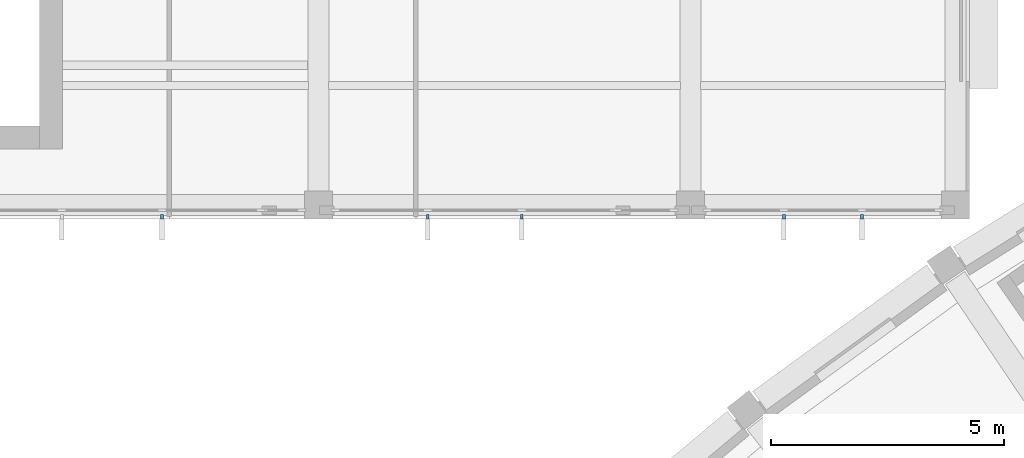
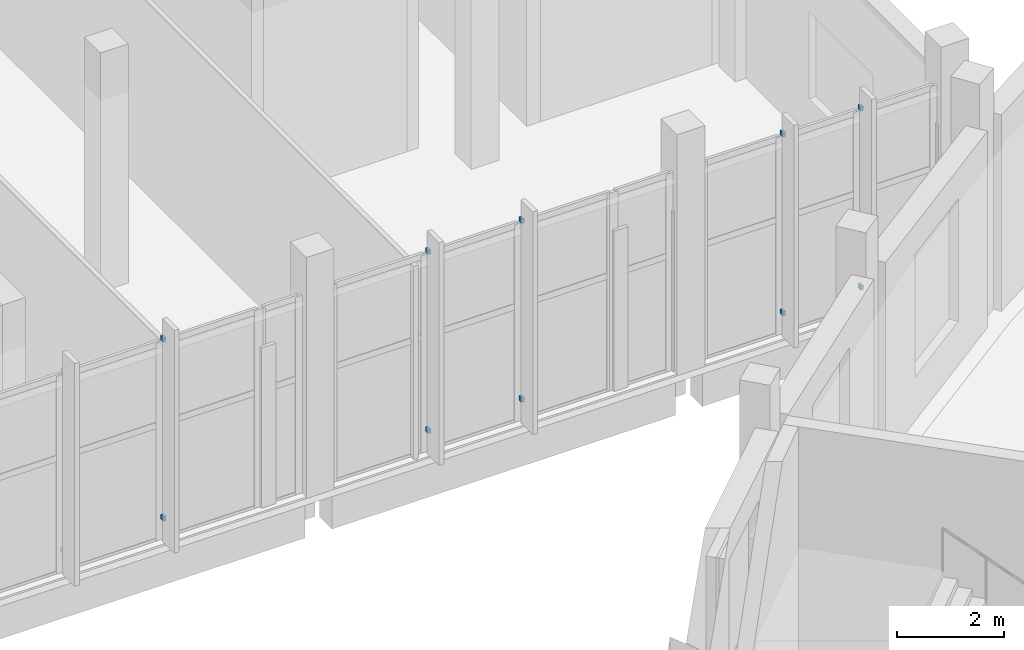
# One storey, part 51 of 87: 10 discrete accessories.
"""IFC4 building model written with IfcOpenShell, lengths in metres."""

import ifcopenshell
import ifcopenshell.guid

model = None  # the IFC model being written
_history = None  # IfcOwnerHistory: only IFC2X3 demands one
_inside = {}  # id of a spatial element -> (the spatial element, [elements in it])
_under = {}  # id of a project, library or spatial element -> (it, [spatial elements below it])
_declared = {}  # id of a project -> (the project, [libraries it declares])
_typed = {}  # id of a type object -> (the type object, [elements of that type])
_made_of = {}  # id of a material, layer set ... -> (it, [elements and type objects made of it])


def new_model(schema):
    """Start an empty IFC model of exactly this schema.

    Asked for "IFC4X3", IfcOpenShell would pick the latest addendum, in which some entities
    have other attributes; the version numbers below select the first issue.
    IFC2X3 requires an IfcOwnerHistory on every rooted entity: one is made here for all.
    """
    global model, _history
    if schema == "IFC4X3":
        model = ifcopenshell.file(schema_version=(4, 3, 0, 0))
    else:
        model = ifcopenshell.file(schema=schema)
    _inside.clear()
    _under.clear()
    _declared.clear()
    _typed.clear()
    _made_of.clear()
    _history = None
    if model.schema == "IFC2X3":
        org = make("IfcOrganization", Name="unknown")
        user = make(
            "IfcPersonAndOrganization",
            ThePerson=make("IfcPerson", FamilyName="unknown"),
            TheOrganization=org,
        )
        app = make(
            "IfcApplication",
            ApplicationDeveloper=org,
            Version="unknown",
            ApplicationFullName="unknown",
            ApplicationIdentifier="unknown",
        )
        _history = make(
            "IfcOwnerHistory",
            OwningUser=user,
            OwningApplication=app,
            ChangeAction="ADDED",
            CreationDate=0,
        )
    return model


def make(cls, **values):
    """One entity of the class cls with the attributes given. An attribute that is None is left unset."""
    return model.create_entity(
        cls, **{name: value for name, value in values.items() if value is not None}
    )


def rooted(cls, **values):
    """An entity with a GlobalId (a new one), such as an element, a storey or a relation."""
    return make(cls, GlobalId=ifcopenshell.guid.new(), OwnerHistory=_history, **values)


def si_unit(unit_type, name, prefix=None):
    """IfcSIUnit, for example si_unit("LENGTHUNIT", "METRE", prefix="MILLI")."""
    return make("IfcSIUnit", UnitType=unit_type, Prefix=prefix, Name=name)


def assignment(units):
    """IfcUnitAssignment: the units of a project."""
    return None if units is None else make("IfcUnitAssignment", Units=units)


def point(xyz):
    """IfcCartesianPoint."""
    return None if xyz is None else make("IfcCartesianPoint", Coordinates=xyz)


def direction(xyz):
    """IfcDirection."""
    return None if xyz is None else make("IfcDirection", DirectionRatios=xyz)


def frame(location, z_axis=None, x_axis=None):
    """IfcAxis2Placement3D, a coordinate frame: its origin and axes. An axis left out is left unset."""
    return make(
        "IfcAxis2Placement3D",
        Location=point(location),
        Axis=direction(z_axis),
        RefDirection=direction(x_axis),
    )


def frame_2d(location, x_axis=None):
    """IfcAxis2Placement2D, a coordinate frame in the plane: its origin and x axis."""
    return make(
        "IfcAxis2Placement2D", Location=point(location), RefDirection=direction(x_axis)
    )


def origin():
    """The frame at (0, 0, 0) with its axes left unset."""
    return frame((0.0, 0.0, 0.0))


def origin_2d():
    """The frame at (0, 0) in the plane with its x axis left unset."""
    return frame_2d((0.0, 0.0))


def place(relative_to, where):
    """IfcLocalPlacement: puts the frame where relative to a parent placement (None: the world)."""
    return make(
        "IfcLocalPlacement", PlacementRelTo=relative_to, RelativePlacement=where
    )


def context(
    kind, dimensions, precision=None, world=None, true_north=None, identifier=None
):
    """IfcGeometricRepresentationContext, for example the 3D "Model" context."""
    return make(
        "IfcGeometricRepresentationContext",
        ContextIdentifier=identifier,
        ContextType=kind,
        CoordinateSpaceDimension=dimensions,
        Precision=precision,
        WorldCoordinateSystem=world,
        TrueNorth=true_north,
    )


def subcontext(parent, identifier, kind, view, scale=None):
    """IfcGeometricRepresentationSubContext, for example "Body" below "Model"."""
    return make(
        "IfcGeometricRepresentationSubContext",
        ContextIdentifier=identifier,
        ContextType=kind,
        ParentContext=parent,
        TargetScale=scale,
        TargetView=view,
    )


def project(units=None, contexts=None):
    """IfcProject with its units and contexts."""
    return rooted(
        "IfcProject",
        Name="project",
        RepresentationContexts=contexts,
        UnitsInContext=assignment(units),
    )


def spatial(cls, under=None, at=None, **own):
    """A site, building, storey or space (cls), placed at a placement, below another one or the project."""
    s = rooted(cls, ObjectPlacement=at, **own)
    if under is not None:
        _under.setdefault(under.id(), (under, []))[1].append(s)
    return s


def profile(cls, at=None, kind="AREA", **sizes):
    """A parametric profile (cls). Its sizes go by their IFC names, for example OverallWidth=200.0."""
    return make(cls, ProfileType=kind, Position=at, **sizes)


def rectangle(**sizes):
    """IfcRectangleProfileDef."""
    return profile("IfcRectangleProfileDef", **sizes)


def extrude(swept, where, along, depth):
    """IfcExtrudedAreaSolid: the profile swept, set in the frame where, extruded along a direction by depth."""
    return make(
        "IfcExtrudedAreaSolid",
        SweptArea=swept,
        Position=where,
        ExtrudedDirection=direction(along),
        Depth=depth,
    )


def shape(context_of_items, identifier, shape_type, items):
    """IfcShapeRepresentation: the items that make up one representation, for example the "Body"."""
    return make(
        "IfcShapeRepresentation",
        ContextOfItems=context_of_items,
        RepresentationIdentifier=identifier,
        RepresentationType=shape_type,
        Items=items,
    )


def material(Name=None, Category=None):
    """IfcMaterial."""
    return make("IfcMaterial", Name=Name, Category=Category)


def made_of(thing, what):
    """Note that an element or type object is made of a material, layer set ...; save() writes the relation."""
    if what is not None:
        _made_of.setdefault(what.id(), (what, []))[1].append(thing)
    return thing


def type_object(cls, material=None, **own):
    """A type object (cls), such as IfcWallType, which elements share."""
    return made_of(rooted(cls, **own), material)


def element(
    cls,
    number,
    at=None,
    inside=None,
    cuts=None,
    type_object=None,
    material=None,
    context=None,
    identifier="Body",
    shape_type=None,
    held_by="IfcProductDefinitionShape",
    body=None,
    shapes=None,
    **own,
):
    """One element of the class cls, such as IfcWall. Its Tag is "e" and its number.

    at: its placement. inside: the storey or other place that contains it. cuts: it is an
    opening in that element (IfcRelVoidsElement). A single representation is given by context,
    identifier, shape_type and body (its items); several are given by shapes. held_by: the class
    of the entity that holds the representations. save() writes the other relations.
    """
    e = rooted(cls, Tag="e%d" % number, ObjectPlacement=at, **own)
    if body is not None:
        shapes = [shape(context, identifier, shape_type, body)]
    if shapes is not None:
        e.Representation = make(held_by, Representations=shapes)
    if inside is not None:
        _inside.setdefault(inside.id(), (inside, []))[1].append(e)
    if cuts is not None:
        rooted(
            "IfcRelVoidsElement", RelatingBuildingElement=cuts, RelatedOpeningElement=e
        )
    if type_object is not None:
        _typed.setdefault(type_object.id(), (type_object, []))[1].append(e)
    return made_of(e, material)


def aggregate(whole, parts):
    """IfcRelAggregates: a whole, such as a stair, and the parts it consists of."""
    return rooted("IfcRelAggregates", RelatingObject=whole, RelatedObjects=parts)


def save(model, path):
    """Write the relations noted so far, then the file.

    IfcRelAggregates (storeys below a building ...), IfcRelContainedInSpatialStructure (elements
    in a storey), IfcRelDefinesByType, IfcRelAssociatesMaterial and IfcRelDeclares: one each for
    every whole, place, type object, material and project.
    """
    for whole, parts in _under.values():
        aggregate(whole, parts)
    for where, things in _inside.values():
        rooted(
            "IfcRelContainedInSpatialStructure",
            RelatedElements=things,
            RelatingStructure=where,
        )
    for kind, things in _typed.values():
        rooted("IfcRelDefinesByType", RelatedObjects=things, RelatingType=kind)
    for what, things in _made_of.values():
        rooted("IfcRelAssociatesMaterial", RelatedObjects=things, RelatingMaterial=what)
    for by, libraries in _declared.values():
        rooted("IfcRelDeclares", RelatingContext=by, RelatedDefinitions=libraries)
    model.write(path)


model = new_model("IFC4")

# Units and contexts
model_context = context("Model", 3, precision=1e-05, world=origin(), true_north=direction((0.0, 1.0)))
body_context = subcontext(model_context, "Body", "Model", "MODEL_VIEW")
ifc_project = project(units=[si_unit("LENGTHUNIT", "METRE"), si_unit("AREAUNIT", "SQUARE_METRE"), si_unit("VOLUMEUNIT", "CUBIC_METRE"), si_unit("PLANEANGLEUNIT", "RADIAN"), si_unit("MASSUNIT", "GRAM", prefix="KILO")], contexts=[model_context])

# Site, building, storey
site_placement = place(None, origin())
site = spatial("IfcSite", under=ifc_project, at=site_placement, CompositionType="ELEMENT")
building_placement = place(site_placement, origin())
building = spatial("IfcBuilding", under=site, at=building_placement, Name="Lunette Opera House", CompositionType="ELEMENT")
storey_placement = place(building_placement, frame((0.0, 0.0, 11.5)))
storey = spatial("IfcBuildingStorey", under=building, at=storey_placement, Name="L02", CompositionType="ELEMENT", Elevation=11.5)

# Discrete accessories
ifc_material = material(Name="Galvanised steel", Category="steel")
discrete_accessory_type = type_object("IfcDiscreteAccessoryType", Name="FIN BRACKET STEEL", PredefinedType="BRACKET", material=ifc_material)
for number, where, z_axis, x_axis, name in (
    (1, (36.635009765625, 64.04296875, 0.56494140625), (0.0, 0.0, 1.0), (0.0, -1.0, 0.0), "Fin bracket RW-X2038 2 1"),
    (2, (36.635009765625, 64.04296875, 4.64990234375), (0.0, 0.0, 1.0), (0.0, -1.0, 0.0), "Fin bracket RW-X2038 2 2"),
    (3, (42.35107421875, 64.04296875, 0.56494140625), (0.0, 0.0, 1.0), (0.0, -1.0, 0.0), "Fin bracket RW-X2040 1 1"),
    (4, (42.35107421875, 64.04296875, 4.64990234375), (0.0, 0.0, 1.0), (0.0, -1.0, 0.0), "Fin bracket RW-X2040 1 2"),
    (5, (44.373046875, 64.04296875, 0.56494140625), (0.0, 0.0, 1.0), (0.0, -1.0, 0.0), "Fin bracket RW-X2040 2 1"),
    (6, (44.373046875, 64.04296875, 4.64990234375), (0.0, 0.0, 1.0), (0.0, -1.0, 0.0), "Fin bracket RW-X2040 2 2"),
    (7, (50.010009765625, 64.04296875, 0.56494140625), (0.0, 0.0, 1.0), (0.0, -1.0, 0.0), "Fin bracket RW-X2042 1 1"),
    (8, (50.010009765625, 64.04296875, 4.64990234375), (0.0, 0.0, 1.0), (0.0, -1.0, 0.0), "Fin bracket RW-X2042 1 2"),
    (9, (51.68994140625, 64.04296875, 0.56494140625), (0.0, 0.0, 1.0), (0.0, -1.0, 0.0), "Fin bracket RW-X2042 2 1"),
    (10, (51.68994140625, 64.04296875, 4.64990234375), (0.0, 0.0, 1.0), (0.0, -1.0, 0.0), "Fin bracket RW-X2042 2 2"),
):
    element("IfcDiscreteAccessory", number, at=place(storey_placement, frame(where, z_axis=z_axis, x_axis=x_axis)), inside=storey, type_object=discrete_accessory_type, Name=name, PredefinedType="BRACKET", context=body_context, shape_type="SweptSolid", body=[
        extrude(rectangle(XDim=0.10009765625, YDim=0.06005859375, at=origin_2d()), origin(), (0.0, 0.0, 1.0), 0.10009765625),
    ])

save(model, "model.ifc")
